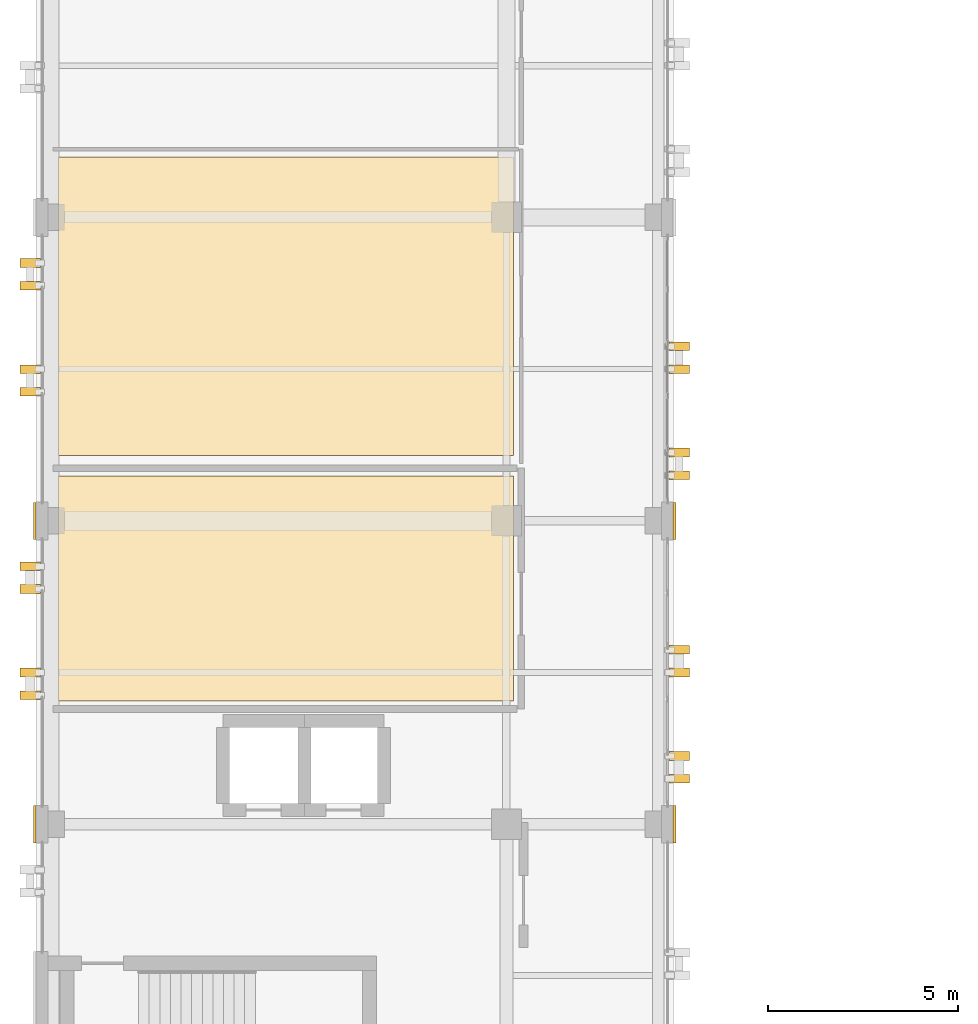
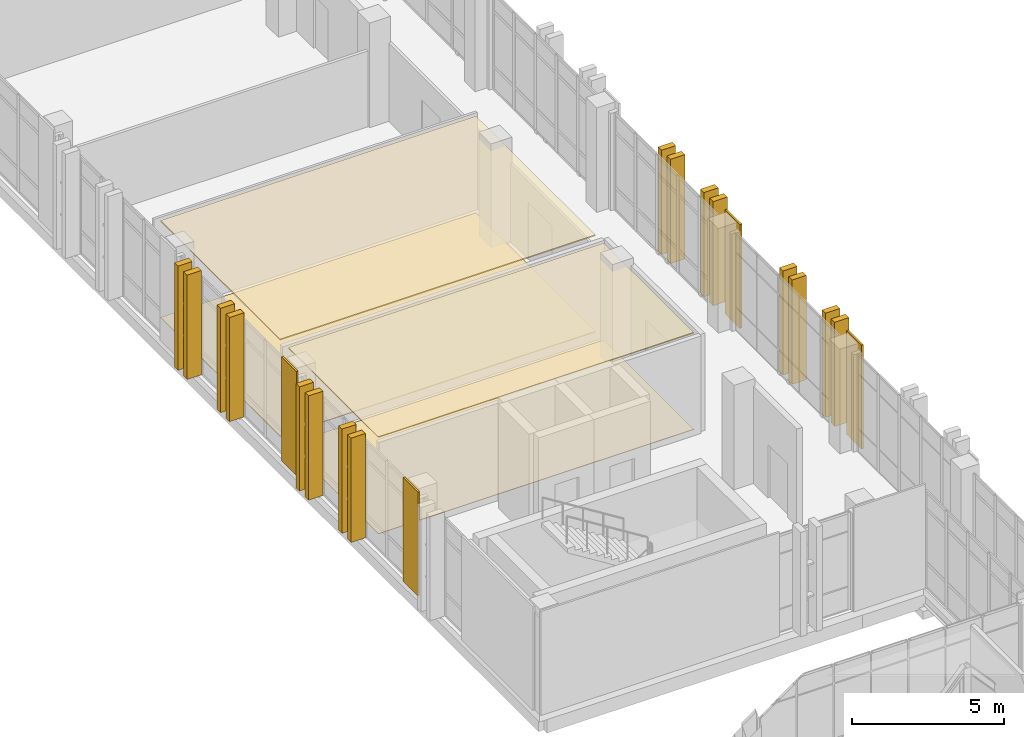
# One storey, part 177 of 193: 24 coverings.
"""IFC4 building model written with IfcOpenShell, lengths in metres."""

from ifc_helpers import new_model, si_unit, direction, frame, origin, origin_2d, place, context, subcontext, project, spatial, polyline, rectangle, outline, extrude, material, layer, layer_set, type_object, element, save


model = new_model("IFC4")

# Units and contexts
model_context = context("Model", 3, precision=1e-05, world=origin(), true_north=direction((0.0, 1.0)))
body_context = subcontext(model_context, "Body", "Model", "MODEL_VIEW")
ifc_project = project(units=[si_unit("LENGTHUNIT", "METRE"), si_unit("AREAUNIT", "SQUARE_METRE"), si_unit("VOLUMEUNIT", "CUBIC_METRE"), si_unit("PLANEANGLEUNIT", "RADIAN"), si_unit("MASSUNIT", "GRAM", prefix="KILO")], contexts=[model_context])

# Site, building, storey
site_placement = place(None, origin())
site = spatial("IfcSite", under=ifc_project, at=site_placement, CompositionType="ELEMENT")
building_placement = place(site_placement, origin())
building = spatial("IfcBuilding", under=site, at=building_placement, Name="Qalavern Law Courts", CompositionType="ELEMENT")
storey_placement = place(building_placement, frame((0.0, 0.0, 10.199951171875)))
storey = spatial("IfcBuildingStorey", under=building, at=storey_placement, Name="L02", CompositionType="ELEMENT", Elevation=10.199951171875)

# Coverings
ifc_material_1 = material(Name="Precast concrete C40/50", Category="concrete")
ifc_layer_1 = layer(ifc_material_1, 0.22998046875)
ifc_layer_set_1 = layer_set([ifc_layer_1], Name="Precast concrete C40/50")
covering_type_1 = type_object("IfcCoveringType", Name="ENV-BLD-2", PredefinedType="CLADDING", material=ifc_layer_set_1)
for number, where, z_axis, x_axis, name in (
    (1, (18.955078125, 50.60009765625, 0.005126953125), (0.0, 0.0, 1.0), (1.0, 0.0, 0.0), "Absheron stone facade blade 0253"),
    (2, (18.955078125, 51.199951171875, 0.005126953125), (0.0, 0.0, 1.0), (1.0, 0.0, 0.0), "Absheron stone facade blade 0254"),
    (3, (18.955078125, 53.39990234375, 0.005126953125), (0.0, 0.0, 1.0), (1.0, 0.0, 0.0), "Absheron stone facade blade 0255"),
    (4, (18.955078125, 54.0, 0.005126953125), (0.0, 0.0, 1.0), (1.0, 0.0, 0.0), "Absheron stone facade blade 0256"),
    (5, (18.955078125, 58.60009765625, 0.005126953125), (0.0, 0.0, 1.0), (1.0, 0.0, 0.0), "Absheron stone facade blade 0257"),
    (6, (18.955078125, 59.199951171875, 0.005126953125), (0.0, 0.0, 1.0), (1.0, 0.0, 0.0), "Absheron stone facade blade 0258"),
    (7, (18.955078125, 61.39990234375, 0.005126953125), (0.0, 0.0, 1.0), (1.0, 0.0, 0.0), "Absheron stone facade blade 0259"),
    (8, (18.955078125, 62.0, 0.005126953125), (0.0, 0.0, 1.0), (1.0, 0.0, 0.0), "Absheron stone facade blade 0260"),
    (9, (1.844970703125, 64.199951171875, 0.005126953125), (0.0, 0.0, 1.0), (-1.0, 0.0, 0.0), "Absheron stone facade blade 0289"),
    (10, (1.844970703125, 63.60009765625, 0.005126953125), (0.0, 0.0, 1.0), (-1.0, 0.0, 0.0), "Absheron stone facade blade 0290"),
    (11, (1.844970703125, 61.39990234375, 0.005126953125), (0.0, 0.0, 1.0), (-1.0, 0.0, 0.0), "Absheron stone facade blade 0291"),
    (12, (1.844970703125, 60.800048828125, 0.005126953125), (0.0, 0.0, 1.0), (-1.0, 0.0, 0.0), "Absheron stone facade blade 0292"),
    (13, (1.844970703125, 56.199951171875, 0.005126953125), (0.0, 0.0, 1.0), (-1.0, 0.0, 0.0), "Absheron stone facade blade 0293"),
    (14, (1.844970703125, 55.60009765625, 0.005126953125), (0.0, 0.0, 1.0), (-1.0, 0.0, 0.0), "Absheron stone facade blade 0294"),
    (15, (1.844970703125, 53.39990234375, 0.005126953125), (0.0, 0.0, 1.0), (-1.0, 0.0, 0.0), "Absheron stone facade blade 0295"),
    (16, (1.844970703125, 52.800048828125, 0.005126953125), (0.0, 0.0, 1.0), (-1.0, 0.0, 0.0), "Absheron stone facade blade 0296"),
):
    element("IfcCovering", number, at=place(storey_placement, frame(where, z_axis=z_axis, x_axis=x_axis)), inside=storey, type_object=covering_type_1, Name=name, PredefinedType="CLADDING", context=body_context, shape_type="SweptSolid", body=[
        extrude(rectangle(XDim=0.5400390625, YDim=0.22998046875, at=origin_2d()), origin(), (0.0, 0.0, 1.0), 4.18994140625),
    ])
ifc_layer_2 = layer(ifc_material_1, 0.072021484375)
ifc_layer_set_2 = layer_set([ifc_layer_2], Name="Precast concrete C40/50")
covering_type_2 = type_object("IfcCoveringType", Name="ENV-CLD-2", PredefinedType="CLADDING", material=ifc_layer_set_2)
for number, where, z_axis, x_axis, name in (
    (17, (18.8330078125, 49.39990234375, 0.01025390625), (0.0, 0.0, 1.0), (0.0, 1.0, 0.0), "V3 Absheron limestone pier facing L02 east 2"),
    (18, (18.8330078125, 57.39990234375, 0.01025390625), (0.0, 0.0, 1.0), (0.0, 1.0, 0.0), "V3 Absheron limestone pier facing L02 east 3"),
    (19, (1.967041015625, 57.39990234375, 0.01025390625), (0.0, 0.0, 1.0), (0.0, -1.0, 0.0), "V3 Absheron limestone pier facing L02 west 6"),
    (20, (1.967041015625, 49.39990234375, 0.01025390625), (0.0, 0.0, 1.0), (0.0, -1.0, 0.0), "V3 Absheron limestone pier facing L02 west 7"),
):
    element("IfcCovering", number, at=place(storey_placement, frame(where, z_axis=z_axis, x_axis=x_axis)), inside=storey, type_object=covering_type_2, Name=name, PredefinedType="CLADDING", context=body_context, shape_type="SweptSolid", body=[
        extrude(rectangle(XDim=0.97998046875, YDim=0.072021484375, at=origin_2d()), origin(), (0.0, 0.0, 1.0), 4.179931640625),
    ])
ifc_material_2 = material(Name="Perforated gypsum and mineral-wool acoustic ceiling")
ifc_layer_3 = layer(ifc_material_2, 0.0380859375)
ifc_layer_set_3 = layer_set([ifc_layer_3], Name="Perforated gypsum and mineral-wool acoustic ceiling")
covering_type_3 = type_object("IfcCoveringType", Name="INT-CEIL-1", PredefinedType="CEILING", material=ifc_layer_set_3)
covering_1_placement = place(storey_placement, frame((0.0, 0.0, 3.876953125)))
element("IfcCovering", 21, at=covering_1_placement, inside=storey, type_object=covering_type_3, Name="Criminal Courtroom acoustic ceiling L02", PredefinedType="CEILING", context=body_context, shape_type="SweptSolid", body=[
    extrude(outline(polyline([(2.590087890625, 52.64990234375), (14.580078125, 52.64990234375), (14.580078125, 58.577880859375), (2.590087890625, 58.577880859375), (2.590087890625, 52.64990234375)])), origin(), (0.0, 0.0, 1.0), 0.0380859375),
])
ifc_layer_4 = layer(ifc_material_2, 0.0458984375)
ifc_layer_set_4 = layer_set([ifc_layer_4], Name="Perforated gypsum and mineral-wool acoustic ceiling")
covering_type_4 = type_object("IfcCoveringType", Name="INT-CEIL-2", PredefinedType="CEILING", material=ifc_layer_set_4)
covering_2_placement = place(storey_placement, frame((0.0, 0.0, 3.869140625)))
element("IfcCovering", 22, at=covering_2_placement, inside=storey, type_object=covering_type_4, Name="Administrative Courtroom acoustic ceiling L02", PredefinedType="CEILING", context=body_context, shape_type="SweptSolid", body=[
    extrude(outline(polyline([(2.590087890625, 59.117919921875), (14.580078125, 59.117919921875), (14.580078125, 66.989013671875), (2.590087890625, 66.989013671875), (2.590087890625, 59.117919921875)])), origin(), (0.0, 0.0, 1.0), 0.0458984375),
])
ifc_material_3 = material(Name="Acoustic engineered oak courtroom flooring")
ifc_layer_5 = layer(ifc_material_3, 0.02197265625)
ifc_layer_set_5 = layer_set([ifc_layer_5], Name="Acoustic engineered oak courtroom flooring")
covering_type_5 = type_object("IfcCoveringType", Name="INT-FLR-1", PredefinedType="FLOORING", material=ifc_layer_set_5)
covering_3_placement = place(storey_placement, origin())
element("IfcCovering", 23, at=covering_3_placement, inside=storey, type_object=covering_type_5, Name="Criminal Courtroom finish flooring L02", PredefinedType="FLOORING", context=body_context, shape_type="SweptSolid", body=[
    extrude(outline(polyline([(2.590087890625, 52.64990234375), (14.580078125, 52.64990234375), (14.580078125, 58.577880859375), (2.590087890625, 58.577880859375), (2.590087890625, 52.64990234375)])), origin(), (0.0, 0.0, 1.0), 0.02197265625),
])
ifc_material_4 = material(Name="Polished Absheron stone terrazzo flooring", Category="masonry")
ifc_layer_6 = layer(ifc_material_4, 0.030029296875)
ifc_layer_set_6 = layer_set([ifc_layer_6], Name="Polished Absheron stone terrazzo flooring")
covering_type_6 = type_object("IfcCoveringType", Name="INT-FLR-2", PredefinedType="FLOORING", material=ifc_layer_set_6)
covering_4_placement = place(storey_placement, origin())
element("IfcCovering", 24, at=covering_4_placement, inside=storey, type_object=covering_type_6, Name="Administrative Courtroom finish flooring L02", PredefinedType="FLOORING", context=body_context, shape_type="SweptSolid", body=[
    extrude(outline(polyline([(2.590087890625, 59.117919921875), (14.580078125, 59.117919921875), (14.580078125, 66.989013671875), (2.590087890625, 66.989013671875), (2.590087890625, 59.117919921875)])), origin(), (0.0, 0.0, 1.0), 0.030029296875),
])

save(model, "model.ifc")
